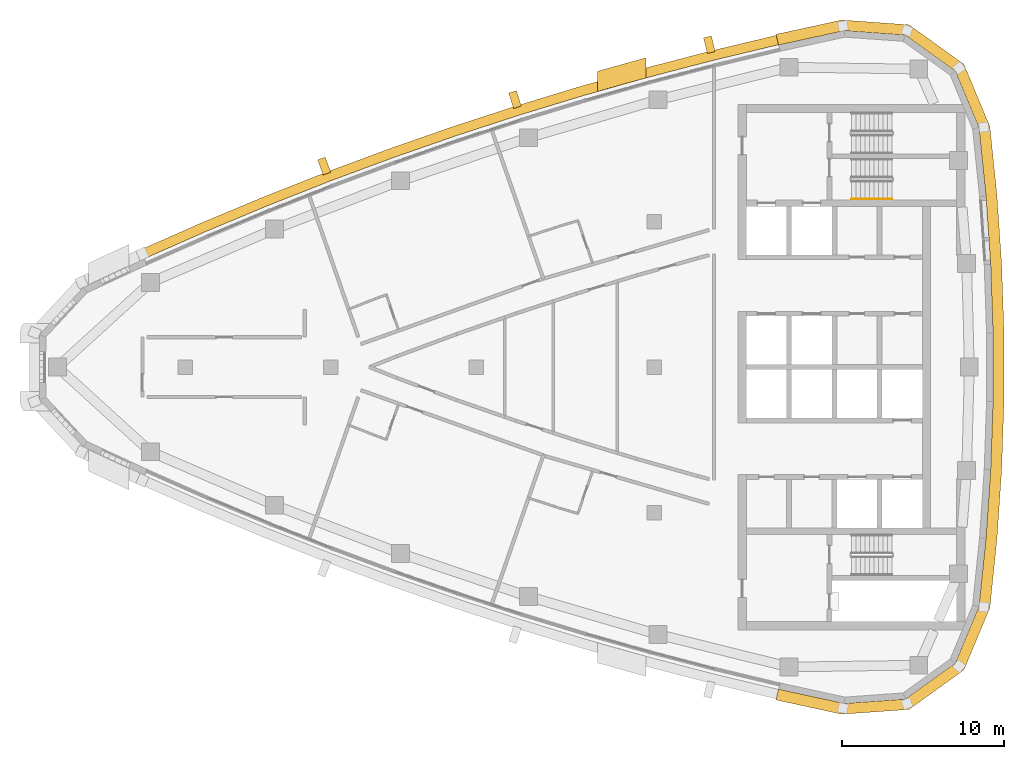
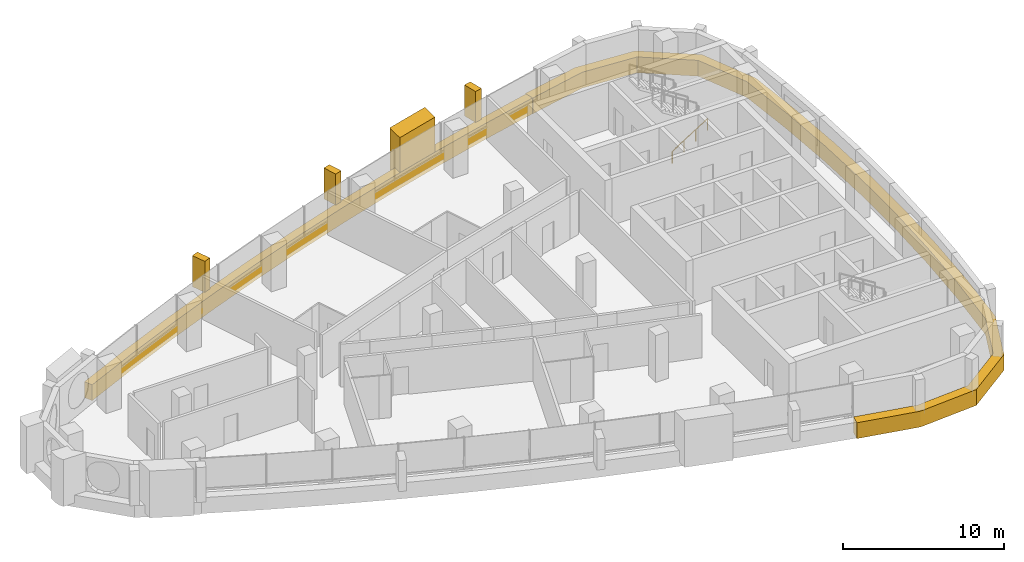
# One storey, part 13 of 14: 6 coverings, 1 railing.
"""IFC4 building model written with IfcOpenShell, lengths in metres."""

from ifc_helpers import new_model, si_unit, direction, frame, frame_2d, origin, origin_2d, place, context, subcontext, project, spatial, polyline, rectangle, circle, outline, extrude, material, layer, layer_set, type_object, element, save


model = new_model("IFC4")

# Units and contexts
model_context = context("Model", 3, precision=1e-05, world=origin(), true_north=direction((0.0, 1.0)))
body_context = subcontext(model_context, "Body", "Model", "MODEL_VIEW")
ifc_project = project(units=[si_unit("LENGTHUNIT", "METRE"), si_unit("AREAUNIT", "SQUARE_METRE"), si_unit("VOLUMEUNIT", "CUBIC_METRE"), si_unit("PLANEANGLEUNIT", "RADIAN"), si_unit("MASSUNIT", "GRAM", prefix="KILO")], contexts=[model_context])

# Site, building, storey
site_placement = place(None, origin())
site = spatial("IfcSite", under=ifc_project, at=site_placement, CompositionType="ELEMENT")
building_placement = place(site_placement, origin())
building = spatial("IfcBuilding", under=site, at=building_placement, Name="Ostrand Prow Hotel Tower", CompositionType="ELEMENT")
storey_placement = place(building_placement, frame((0.0, 0.0, 278.550048828125)))
storey = spatial("IfcBuildingStorey", under=building, at=storey_placement, Name="L70", CompositionType="ELEMENT", Elevation=278.550048828125)

# Coverings
ifc_material_1 = material(Name="Bronze anodised aluminium cladding", Category="aluminium")
ifc_layer_1 = layer(ifc_material_1, 0.60009765625)
ifc_layer_set_1 = layer_set([ifc_layer_1], Name="Bronze anodised aluminium cladding")
covering_type_1 = type_object("IfcCoveringType", Name="Bronze spandrel band 1200x600", PredefinedType="CLADDING", material=ifc_layer_set_1)
covering_1_placement = place(storey_placement, frame((0.0, 0.0, -0.300048828125)))
element("IfcCovering", 1, at=covering_1_placement, inside=storey, type_object=covering_type_1, Name="Spandrel band N1", PredefinedType="CLADDING", context=body_context, shape_type="SweptSolid", body=[
    extrude(outline(polyline([(52.55615234375, 20.52880859375), (48.51220703125, 19.56103515625), (44.48828125, 18.51220703125), (40.486328125, 17.382568359375), (36.508056640625, 16.172607421875), (32.5546875, 14.88330078125), (28.62841796875, 13.514404296875), (24.72998046875, 12.067138671875), (20.86181640625, 10.541748046875), (17.02490234375, 8.938720703125), (13.220947265625, 7.25927734375), (13.468994140625, 6.712890625), (17.26171875, 8.3876953125), (21.08740234375, 9.98583984375), (24.944580078125, 11.5068359375), (28.83154296875, 12.949951171875), (32.74658203125, 14.314697265625), (36.6884765625, 15.6005859375), (40.6552734375, 16.806884765625), (44.6455078125, 17.93310546875), (48.65771484375, 18.97900390625), (52.68994140625, 19.94384765625), (52.55615234375, 20.52880859375)])), origin(), (0.0, 0.0, 1.0), 1.199951171875),
])
covering_2_placement = place(storey_placement, frame((0.0, 0.0, -0.300048828125)))
element("IfcCovering", 2, at=covering_2_placement, inside=storey, type_object=covering_type_1, Name="Spandrel band back 1", PredefinedType="CLADDING", context=body_context, shape_type="SweptSolid", body=[
    extrude(outline(polyline([(52.542236328125, -20.58984375), (56.606201171875, -21.476318359375), (60.771728515625, -21.17919921875), (64.162841796875, -18.741455078125), (65.77197265625, -14.887451171875), (66.2080078125, -10.646240234375), (66.498779296875, -6.392822265625), (66.644287109375, -2.131591796875), (66.644287109375, 2.131591796875), (66.498779296875, 6.392822265625), (66.2080078125, 10.646240234375), (65.77197265625, 14.887451171875), (64.162841796875, 18.741455078125), (60.771728515625, 21.17919921875), (56.606201171875, 21.476318359375), (52.542236328125, 20.58984375), (52.69384765625, 19.927001953125), (56.744384765625, 20.810546875), (60.540283203125, 20.539794921875), (63.630615234375, 18.318359375), (65.0966796875, 14.806396484375), (65.530517578125, 10.58837890625), (65.819580078125, 6.35791015625), (65.964599609375, 2.1201171875), (65.964599609375, -2.1201171875), (65.819580078125, -6.35791015625), (65.530517578125, -10.58837890625), (65.0966796875, -14.806396484375), (63.630615234375, -18.318359375), (60.540283203125, -20.539794921875), (56.744384765625, -20.810546875), (52.69384765625, -19.927001953125), (52.542236328125, -20.58984375)])), origin(), (0.0, 0.0, 1.0), 1.199951171875),
])
ifc_material_2 = material(Name="Limestone cladding", Category="masonry")
ifc_layer_2 = layer(ifc_material_2, 5.0)
ifc_layer_set_2 = layer_set([ifc_layer_2], Name="Limestone cladding")
covering_type_2 = type_object("IfcCoveringType", Name="Portal jamb pilaster limestone", PredefinedType="CLADDING", material=ifc_layer_set_2)
covering_3_placement = place(storey_placement, origin())
element("IfcCovering", 3, at=covering_3_placement, inside=storey, type_object=covering_type_2, Name="Portal jamb NB L70", PredefinedType="CLADDING", context=body_context, shape_type="SweptSolid", body=[
    extrude(outline(polyline([(41.5, 17.052490234375), (42.5, 17.338134765625), (43.5, 17.61865234375), (44.5, 17.8935546875), (44.5, 19.136962890625), (43.5, 18.86376953125), (42.5, 18.585205078125), (41.5, 18.301025390625), (41.5, 17.052490234375)])), origin(), (0.0, 0.0, 1.0), 3.550048828125),
])
ifc_material_3 = material(Name="Limestone cladding", Category="masonry")
ifc_layer_3 = layer(ifc_material_3, 0.5)
ifc_layer_set_3 = layer_set([ifc_layer_3], Name="Limestone cladding")
covering_type_3 = type_object("IfcCoveringType", Name="Precast stone fin 500x900", PredefinedType="CLADDING", material=ifc_layer_set_3)
for number, where, z_axis, x_axis, name in (
    (4, (48.536376953125, 19.464111328125, 0.89990234375), (0.0, 0.0, 1.0), (-0.242707978632, 0.970099395479, 0.0), "Stone fin N 2"),
    (5, (36.5380859375, 16.077392578125, 0.89990234375), (0.0, 0.0, 1.0), (-0.30058207316, 0.953755952692, 0.0), "Stone fin N 5"),
):
    element("IfcCovering", number, at=place(storey_placement, frame(where, z_axis=z_axis, x_axis=x_axis)), inside=storey, type_object=covering_type_3, Name=name, PredefinedType="CLADDING", context=body_context, shape_type="SweptSolid", body=[
        extrude(rectangle(XDim=0.999755859375, YDim=0.5, at=frame_2d((0.5, 0.0))), origin(), (0.0, 0.0, 1.0), 2.35009765625),
    ])
covering_4_placement = place(storey_placement, frame((24.765869140625, 11.973876953125, 0.89990234375), z_axis=(0.0, 0.0, 1.0), x_axis=(-0.357456978517, 0.933929605757, 0.0)))
element("IfcCovering", 6, at=covering_4_placement, inside=storey, type_object=covering_type_3, Name="Stone fin N 8", PredefinedType="CLADDING", context=body_context, shape_type="SweptSolid", body=[
    extrude(rectangle(XDim=1.0, YDim=0.5, at=frame_2d((0.5, 0.0))), origin(), (0.0, 0.0, 1.0), 2.35009765625),
])

# Railing
ifc_material_4 = material(Name="Stainless steel", Category="steel")
railing_type = type_object("IfcRailingType", Name="Stair handrail 900", PredefinedType="HANDRAIL", material=ifc_material_4)
railing_placement = place(storey_placement, frame((57.199951171875, 10.39990234375, 0.177490234375)))
element("IfcRailing", 7, at=railing_placement, inside=storey, type_object=railing_type, Name="L70 ST1C stair handrail 1", PredefinedType="HANDRAIL", context=body_context, shape_type="SweptSolid", body=[
    extrude(circle(Radius=0.02392578125, at=origin_2d()), frame((0.0, 0.0, 0.8759765625), z_axis=(0.84460694969, 0.0, 0.535386869969), x_axis=(0.0, 1.0, 0.0)), (0.0, 0.0, 1.0), 2.983642578125),
    extrude(circle(Radius=0.02099609375, at=origin_2d()), origin(), (0.0, 0.0, 1.0), 0.851806640625),
    extrude(circle(Radius=0.02099609375, at=origin_2d()), frame((0.840087890625, 0.0, 0.532470703125)), (0.0, 0.0, 1.0), 0.851806640625),
    extrude(circle(Radius=0.02099609375, at=origin_2d()), frame((1.679931640625, 0.0, 1.06494140625)), (0.0, 0.0, 1.0), 0.851806640625),
    extrude(circle(Radius=0.02099609375, at=origin_2d()), frame((2.52001953125, 0.0, 1.597412109375)), (0.0, 0.0, 1.0), 0.851806640625),
])

save(model, "model.ifc")
